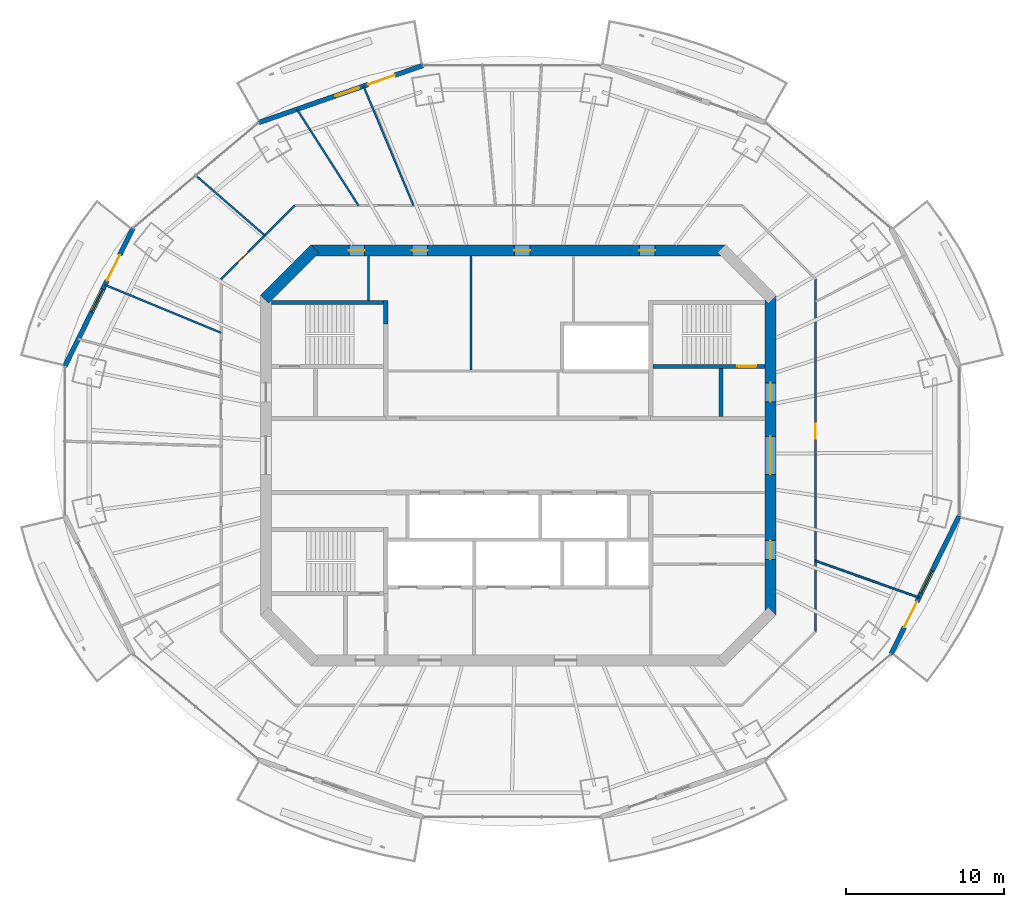
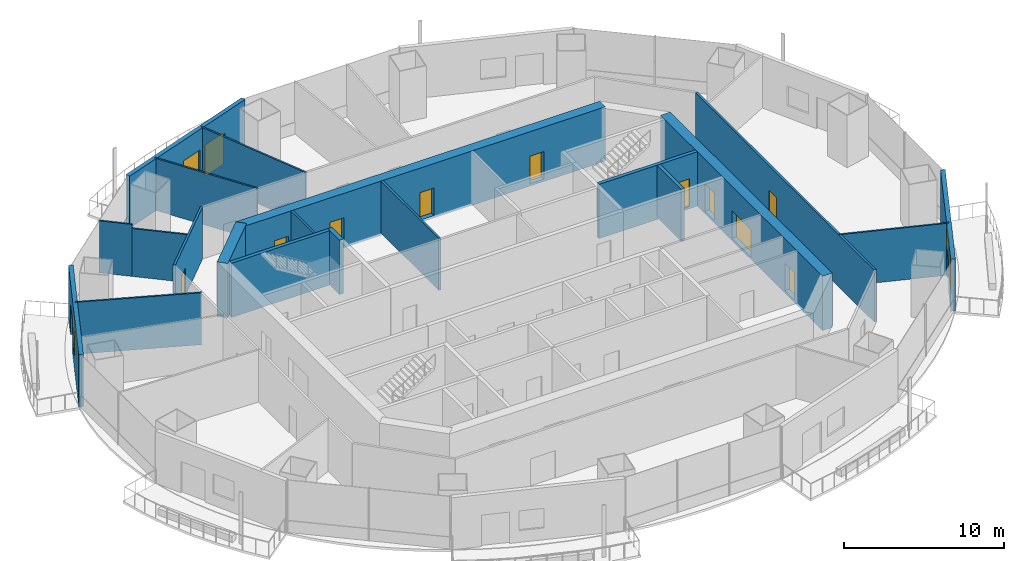
# One storey, part 10 of 16: 20 walls, 13 doors, 3 windows, 16 openings.
"""IFC4 building model written with IfcOpenShell, lengths in metres."""

from ifc_helpers import new_model, si_unit, direction, frame, frame_2d, origin, place, context, subcontext, project, spatial, rectangle, extrude, material, layer, layer_set, type_object, element, fill, save


model = new_model("IFC4")

# Units and contexts
model_context = context("Model", 3, precision=1e-05, world=origin(), true_north=direction((0.0, 1.0)))
body_context = subcontext(model_context, "Body", "Model", "MODEL_VIEW")
ifc_project = project(units=[si_unit("LENGTHUNIT", "METRE"), si_unit("AREAUNIT", "SQUARE_METRE"), si_unit("VOLUMEUNIT", "CUBIC_METRE"), si_unit("PLANEANGLEUNIT", "RADIAN"), si_unit("MASSUNIT", "GRAM", prefix="KILO")], contexts=[model_context])

# Site, building, storey
site_placement = place(None, origin())
site = spatial("IfcSite", under=ifc_project, at=site_placement, CompositionType="ELEMENT")
building_placement = place(site_placement, origin())
building = spatial("IfcBuilding", under=site, at=building_placement, Name="Marenthal Gate Tower", CompositionType="ELEMENT")
storey_placement = place(building_placement, frame((0.0, 0.0, 292.800048828125)))
storey = spatial("IfcBuildingStorey", under=building, at=storey_placement, Name="L65", CompositionType="ELEMENT", Elevation=292.800048828125)

# Wall, openings, doors
ifc_material_1 = material(Name="Concrete 60 MPa", Category="concrete")
ifc_layer_1 = layer(ifc_material_1, 0.699951171875)
ifc_layer_set_1 = layer_set([ifc_layer_1], Name="Core shear wall 700")
wall_type_1 = type_object("IfcWallType", Name="Core shear wall 700", PredefinedType="SHEAR", material=ifc_layer_set_1)
wall_1_placement = place(storey_placement, frame((16.0, -10.14501953125, -0.179931640625), z_axis=(0.0, 0.0, 1.0), x_axis=(0.0, 1.0, 0.0)))
wall_1 = element("IfcWall", 1, at=wall_1_placement, inside=storey, type_object=wall_type_1, Name="Core wall 02", PredefinedType="SHEAR", context=body_context, shape_type="SweptSolid", body=[
    extrude(rectangle(XDim=20.2900390625, YDim=0.699951171875, at=frame_2d((10.14501953125, 0.0))), origin(), (0.0, 0.0, 1.0), 4.14990234375),
])
opening_1_placement = place(wall_1_placement, frame((8.945068359375, 0.0, 0.179931640625)))
opening_1 = element("IfcOpeningElement", 2, at=opening_1_placement, cuts=wall_1, Name="Opening D003.02", PredefinedType="OPENING", context=body_context, shape_type="SweptSolid", body=[
    extrude(rectangle(XDim=2.39990234375, YDim=2.10009765625, at=frame_2d((1.199951171875, 1.050048828125))), frame((0.0, 0.35986328125, 0.0), z_axis=(0.0, -1.0, 0.0), x_axis=(1.0, 0.0, 0.0)), (0.0, 0.0, 1.0), 0.719970703125),
])
opening_2_placement = place(wall_1_placement, frame((13.544921875, 0.0, 0.179931640625)))
opening_2 = element("IfcOpeningElement", 3, at=opening_2_placement, cuts=wall_1, Name="Opening D001.05", PredefinedType="OPENING", context=body_context, shape_type="SweptSolid", body=[
    extrude(rectangle(XDim=1.199951171875, YDim=2.10009765625, at=frame_2d((0.60009765625, 1.050048828125))), frame((0.0, 0.35986328125, 0.0), z_axis=(0.0, -1.0, 0.0), x_axis=(1.0, 0.0, 0.0)), (0.0, 0.0, 1.0), 0.719970703125),
])
opening_3_placement = place(wall_1_placement, frame((3.544921875, 0.0, 0.179931640625)))
opening_3 = element("IfcOpeningElement", 4, at=opening_3_placement, cuts=wall_1, Name="Opening D006.01", PredefinedType="OPENING", context=body_context, shape_type="SweptSolid", body=[
    extrude(rectangle(XDim=1.199951171875, YDim=2.10009765625, at=frame_2d((0.60009765625, 1.050048828125))), frame((0.0, 0.35986328125, 0.0), z_axis=(0.0, -1.0, 0.0), x_axis=(1.0, 0.0, 0.0)), (0.0, 0.0, 1.0), 0.719970703125),
])
ifc_material_2 = material(Name="Steel fire door", Category="steel")
door_type_1 = type_object("IfcDoorType", Name="Double fire door FD 45 2400 x 2100", OperationType="DOUBLE_DOOR_SINGLE_SWING", PredefinedType="DOOR", material=ifc_material_2)
door_1_placement = place(opening_1_placement, origin())
door_1 = element("IfcDoor", 5, at=door_1_placement, inside=storey, type_object=door_type_1, Name="Door D003.02", OperationType="DOUBLE_DOOR_SINGLE_SWING", OverallHeight=2.10009765625, OverallWidth=2.39990234375, PredefinedType="DOOR", context=body_context, shape_type="SweptSolid", body=[
    extrude(rectangle(XDim=2.39990234375, YDim=2.10009765625, at=frame_2d((1.199951171875, 1.050048828125))), frame((0.0, 0.02490234375, 0.0), z_axis=(0.0, -1.0, 0.0), x_axis=(1.0, 0.0, 0.0)), (0.0, 0.0, 1.0), 0.050048828125),
])
fill(opening_1, door_1)
ifc_material_3 = material(Name="Steel fire door", Category="steel")
door_type_2 = type_object("IfcDoorType", Name="Fire door FD 45 1200 x 2100", OperationType="NOTDEFINED", PredefinedType="DOOR", material=ifc_material_3)
door_2_placement = place(opening_3_placement, origin())
door_2 = element("IfcDoor", 6, at=door_2_placement, inside=storey, type_object=door_type_2, Name="Door D006.01", OperationType="SINGLE_SWING_RIGHT", OverallHeight=2.10009765625, OverallWidth=1.199951171875, PredefinedType="DOOR", context=body_context, shape_type="SweptSolid", body=[
    extrude(rectangle(XDim=1.199951171875, YDim=2.10009765625, at=frame_2d((0.60009765625, 1.050048828125))), frame((0.0, 0.02490234375, 0.0), z_axis=(0.0, -1.0, 0.0), x_axis=(1.0, 0.0, 0.0)), (0.0, 0.0, 1.0), 0.050048828125),
])
fill(opening_3, door_2)
ifc_material_4 = material(Name="Steel fire door", Category="steel")
door_type_3 = type_object("IfcDoorType", Name="Fire door FD 90 1200 x 2100", OperationType="NOTDEFINED", PredefinedType="DOOR", material=ifc_material_4)
door_3_placement = place(opening_2_placement, origin())
door_3 = element("IfcDoor", 7, at=door_3_placement, inside=storey, type_object=door_type_3, Name="Door D001.05", OperationType="SINGLE_SWING_RIGHT", OverallHeight=2.10009765625, OverallWidth=1.199951171875, PredefinedType="DOOR", context=body_context, shape_type="SweptSolid", body=[
    extrude(rectangle(XDim=1.199951171875, YDim=2.10009765625, at=frame_2d((0.60009765625, 1.050048828125))), frame((0.0, 0.02490234375, 0.0), z_axis=(0.0, -1.0, 0.0), x_axis=(1.0, 0.0, 0.0)), (0.0, 0.0, 1.0), 0.050048828125),
])
fill(opening_2, door_3)

wall_2_placement = place(storey_placement, frame((13.14501953125, 13.0, -0.179931640625), z_axis=(0.0, 0.0, 1.0), x_axis=(-1.0, 0.0, 0.0)))
wall_2 = element("IfcWall", 8, at=wall_2_placement, inside=storey, type_object=wall_type_1, Name="Core wall 04", PredefinedType="SHEAR", context=body_context, shape_type="SweptSolid", body=[
    extrude(rectangle(XDim=26.2900390625, YDim=0.699951171875, at=frame_2d((13.14501953125, 0.0))), origin(), (0.0, 0.0, 1.0), 4.14990234375),
])
opening_4_placement = place(wall_2_placement, frame((22.889892578125, 0.0, 0.179931640625)))
opening_4 = element("IfcOpeningElement", 9, at=opening_4_placement, cuts=wall_2, Name="Opening D005.03", PredefinedType="OPENING", context=body_context, shape_type="SweptSolid", body=[
    extrude(rectangle(XDim=1.0, YDim=2.10009765625, at=frame_2d((0.5, 1.050048828125))), frame((0.0, 0.35986328125, 0.0), z_axis=(0.0, -1.0, 0.0), x_axis=(1.0, 0.0, 0.0)), (0.0, 0.0, 1.0), 0.719970703125),
])
opening_5_placement = place(wall_2_placement, frame((18.89501953125, 0.0, 0.179931640625)))
opening_5 = element("IfcOpeningElement", 10, at=opening_5_placement, cuts=wall_2, Name="Opening D005.04", PredefinedType="OPENING", context=body_context, shape_type="SweptSolid", body=[
    extrude(rectangle(XDim=1.0, YDim=2.10009765625, at=frame_2d((0.5, 1.050048828125))), frame((0.0, 0.35986328125, 0.0), z_axis=(0.0, -1.0, 0.0), x_axis=(1.0, 0.0, 0.0)), (0.0, 0.0, 1.0), 0.719970703125),
])
opening_6_placement = place(wall_2_placement, frame((12.39501953125, 0.0, 0.179931640625)))
opening_6 = element("IfcOpeningElement", 11, at=opening_6_placement, cuts=wall_2, Name="Opening D005.05", PredefinedType="OPENING", context=body_context, shape_type="SweptSolid", body=[
    extrude(rectangle(XDim=1.0, YDim=2.10009765625, at=frame_2d((0.5, 1.050048828125))), frame((0.0, 0.35986328125, 0.0), z_axis=(0.0, -1.0, 0.0), x_axis=(1.0, 0.0, 0.0)), (0.0, 0.0, 1.0), 0.719970703125),
])
opening_7_placement = place(wall_2_placement, frame((4.46728515625, 0.0, 0.179931640625)))
opening_7 = element("IfcOpeningElement", 12, at=opening_7_placement, cuts=wall_2, Name="Opening D005.06", PredefinedType="OPENING", context=body_context, shape_type="SweptSolid", body=[
    extrude(rectangle(XDim=1.0, YDim=2.10009765625, at=frame_2d((0.5, 1.050048828125))), frame((0.0, 0.35986328125, 0.0), z_axis=(0.0, -1.0, 0.0), x_axis=(1.0, 0.0, 0.0)), (0.0, 0.0, 1.0), 0.719970703125),
])
ifc_material_5 = material(Name="Steel fire door", Category="steel")
door_type_4 = type_object("IfcDoorType", Name="Fire door FD 45 1000 x 2100", OperationType="NOTDEFINED", PredefinedType="DOOR", material=ifc_material_5)
door_4_placement = place(opening_4_placement, origin())
door_4 = element("IfcDoor", 13, at=door_4_placement, inside=storey, type_object=door_type_4, Name="Door D005.03", OperationType="SINGLE_SWING_RIGHT", OverallHeight=2.10009765625, OverallWidth=1.0, PredefinedType="DOOR", context=body_context, shape_type="SweptSolid", body=[
    extrude(rectangle(XDim=1.0, YDim=2.10009765625, at=frame_2d((0.5, 1.050048828125))), frame((0.0, 0.02490234375, 0.0), z_axis=(0.0, -1.0, 0.0), x_axis=(1.0, 0.0, 0.0)), (0.0, 0.0, 1.0), 0.050048828125),
])
fill(opening_4, door_4)
door_5_placement = place(opening_5_placement, origin())
door_5 = element("IfcDoor", 14, at=door_5_placement, inside=storey, type_object=door_type_4, Name="Door D005.04", OperationType="SINGLE_SWING_RIGHT", OverallHeight=2.10009765625, OverallWidth=1.0, PredefinedType="DOOR", context=body_context, shape_type="SweptSolid", body=[
    extrude(rectangle(XDim=1.0, YDim=2.10009765625, at=frame_2d((0.5, 1.050048828125))), frame((0.0, 0.02490234375, 0.0), z_axis=(0.0, -1.0, 0.0), x_axis=(1.0, 0.0, 0.0)), (0.0, 0.0, 1.0), 0.050048828125),
])
fill(opening_5, door_5)
door_6_placement = place(opening_6_placement, origin())
door_6 = element("IfcDoor", 15, at=door_6_placement, inside=storey, type_object=door_type_4, Name="Door D005.05", OperationType="SINGLE_SWING_RIGHT", OverallHeight=2.10009765625, OverallWidth=1.0, PredefinedType="DOOR", context=body_context, shape_type="SweptSolid", body=[
    extrude(rectangle(XDim=1.0, YDim=2.10009765625, at=frame_2d((0.5, 1.050048828125))), frame((0.0, 0.02490234375, 0.0), z_axis=(0.0, -1.0, 0.0), x_axis=(1.0, 0.0, 0.0)), (0.0, 0.0, 1.0), 0.050048828125),
])
fill(opening_6, door_6)
door_7_placement = place(opening_7_placement, origin())
door_7 = element("IfcDoor", 16, at=door_7_placement, inside=storey, type_object=door_type_4, Name="Door D005.06", OperationType="SINGLE_SWING_RIGHT", OverallHeight=2.10009765625, OverallWidth=1.0, PredefinedType="DOOR", context=body_context, shape_type="SweptSolid", body=[
    extrude(rectangle(XDim=1.0, YDim=2.10009765625, at=frame_2d((0.5, 1.050048828125))), frame((0.0, 0.02490234375, 0.0), z_axis=(0.0, -1.0, 0.0), x_axis=(1.0, 0.0, 0.0)), (0.0, 0.0, 1.0), 0.050048828125),
])
fill(opening_7, door_7)

# Walls
wall_3_placement = place(storey_placement, frame((-12.8974609375, 13.1025390625, -0.179931640625), z_axis=(0.0, 0.0, 1.0), x_axis=(-0.707106781187, -0.707106781187, 0.0)))
element("IfcWall", 17, at=wall_3_placement, inside=storey, type_object=wall_type_1, Name="Core wall 05", PredefinedType="SHEAR", context=body_context, shape_type="SweptSolid", body=[
    extrude(rectangle(XDim=4.53271484375, YDim=0.699951171875, at=frame_2d((2.266357421875, 0.0))), origin(), (0.0, 0.0, 1.0), 4.14990234375),
])
ifc_material_6 = material(Name="Gypsum board on steel studs", Category="steel")
ifc_layer_2 = layer(ifc_material_6, 0.1201171875)
ifc_layer_set_2 = layer_set([ifc_layer_2], Name="Partition 120")
wall_type_2 = type_object("IfcWallType", Name="Partition 120", PredefinedType="PARTITIONING", material=ifc_layer_set_2)
wall_4_placement = place(storey_placement, frame((-18.85009765625, 7.776611328125, 0.0), z_axis=(0.0, 0.0, 1.0), x_axis=(-0.924418879756, 0.381378728759, 0.0)))
element("IfcWall", 18, at=wall_4_placement, inside=storey, type_object=wall_type_2, Name="Partition wall 56", PredefinedType="PARTITIONING", context=body_context, shape_type="SweptSolid", body=[
    extrude(rectangle(XDim=7.96484375, YDim=0.1201171875, at=frame_2d((3.982421875, 0.0))), origin(), (0.0, 0.0, 1.0), 3.969970703125),
])
wall_5_placement = place(storey_placement, frame((-16.076416015625, 13.9541015625, 0.0), z_axis=(0.0, 0.0, 1.0), x_axis=(-0.755209519665, 0.655483471499, 0.0)))
element("IfcWall", 19, at=wall_5_placement, inside=storey, type_object=wall_type_2, Name="Partition wall 58", PredefinedType="PARTITIONING", context=body_context, shape_type="SweptSolid", body=[
    extrude(rectangle(XDim=3.7138671875, YDim=0.1201171875, at=frame_2d((1.85693359375, 0.0))), origin(), (0.0, 0.0, 1.0), 3.659912109375),
])
wall_6_placement = place(storey_placement, frame((-18.881103515625, 16.388427734375, 0.0), z_axis=(0.0, 0.0, 1.0), x_axis=(-0.755190282999, 0.655505634196, 0.0)))
element("IfcWall", 20, at=wall_6_placement, inside=storey, type_object=wall_type_2, Name="Partition wall 72", PredefinedType="PARTITIONING", context=body_context, shape_type="SweptSolid", body=[
    extrude(rectangle(XDim=2.084228515625, YDim=0.1201171875, at=frame_2d((1.0419921875, 0.0))), origin(), (0.0, 0.0, 1.0), 3.969970703125),
])
wall_7_placement = place(storey_placement, frame((-10.13720703125, 15.85009765625, 0.0), z_axis=(0.0, 0.0, 1.0), x_axis=(-0.538802115327, 0.84243235961, 0.0)))
element("IfcWall", 21, at=wall_7_placement, inside=storey, type_object=wall_type_2, Name="Partition wall 61", PredefinedType="PARTITIONING", context=body_context, shape_type="SweptSolid", body=[
    extrude(rectangle(XDim=7.2431640625, YDim=0.1201171875, at=frame_2d((3.62158203125, 0.0))), origin(), (0.0, 0.0, 1.0), 3.969970703125),
])
wall_8_placement = place(storey_placement, frame((-6.64501953125, 15.85009765625, 0.0), z_axis=(0.0, 0.0, 1.0), x_axis=(-0.386671197164, 0.92221764529, 0.0)))
element("IfcWall", 22, at=wall_8_placement, inside=storey, type_object=wall_type_2, Name="Partition wall 62", PredefinedType="PARTITIONING", context=body_context, shape_type="SweptSolid", body=[
    extrude(rectangle(XDim=8.209228515625, YDim=0.1201171875, at=frame_2d((4.1044921875, 0.0))), origin(), (0.0, 0.0, 1.0), 3.969970703125),
])
wall_9_placement = place(storey_placement, frame((18.85009765625, -6.686279296875, 0.0), z_axis=(0.0, 0.0, 1.0), x_axis=(0.942465522023, -0.334303364923, 0.0)))
element("IfcWall", 23, at=wall_9_placement, inside=storey, type_object=wall_type_2, Name="Partition wall 69", PredefinedType="PARTITIONING", context=body_context, shape_type="SweptSolid", body=[
    extrude(rectangle(XDim=6.96337890625, YDim=0.1201171875, at=frame_2d((3.481689453125, 0.0))), origin(), (0.0, 0.0, 1.0), 3.969970703125),
])
ifc_material_7 = material(Name="Gypsum board on steel studs", Category="steel")
ifc_layer_3 = layer(ifc_material_7, 0.14990234375)
ifc_layer_set_3 = layer_set([ifc_layer_3], Name="Partition 150")
wall_type_3 = type_object("IfcWallType", Name="Partition 150", PredefinedType="PARTITIONING", material=ifc_layer_set_3)
wall_10_placement = place(storey_placement, frame((-9.5, 9.824951171875, 0.0), z_axis=(0.0, 0.0, 1.0), x_axis=(0.0, 1.0, 0.0)))
element("IfcWall", 24, at=wall_10_placement, inside=storey, type_object=wall_type_3, Name="Partition wall 31", PredefinedType="PARTITIONING", context=body_context, shape_type="SweptSolid", body=[
    extrude(rectangle(XDim=2.824951171875, YDim=0.14990234375, at=frame_2d((1.41259765625, 0.0))), origin(), (0.0, 0.0, 1.0), 3.969970703125),
])
wall_11_placement = place(storey_placement, frame((-3.0, 5.425048828125, 0.0), z_axis=(0.0, 0.0, 1.0), x_axis=(0.0, 1.0, 0.0)))
element("IfcWall", 25, at=wall_11_placement, inside=storey, type_object=wall_type_3, Name="Partition wall 37", PredefinedType="PARTITIONING", context=body_context, shape_type="SweptSolid", body=[
    extrude(rectangle(XDim=7.224853515625, YDim=0.14990234375, at=frame_2d((3.6123046875, 0.0))), origin(), (0.0, 0.0, 1.0), 3.969970703125),
])

# Wall, opening, door
wall_12_placement = place(storey_placement, frame((-18.85009765625, 11.180419921875, 0.0), z_axis=(0.0, 0.0, 1.0), x_axis=(0.707106781187, 0.707106781187, 0.0)))
wall_12 = element("IfcWall", 26, at=wall_12_placement, inside=storey, type_object=wall_type_3, Name="Partition wall 57", PredefinedType="PARTITIONING", context=body_context, shape_type="SweptSolid", body=[
    extrude(rectangle(XDim=6.60400390625, YDim=0.14990234375, at=frame_2d((3.302001953125, 0.0))), origin(), (0.0, 0.0, 1.0), 3.969970703125),
])
opening_8_placement = place(wall_12_placement, frame((1.486083984375, 0.0, 0.0)))
opening_8 = element("IfcOpeningElement", 27, at=opening_8_placement, cuts=wall_12, Name="Opening D016.06", PredefinedType="OPENING", context=body_context, shape_type="SweptSolid", body=[
    extrude(rectangle(XDim=0.949951171875, YDim=2.10009765625, at=frame_2d((0.47509765625, 1.050048828125))), frame((0.0, 0.0849609375, 0.0), z_axis=(0.0, -1.0, 0.0), x_axis=(1.0, 0.0, 0.0)), (0.0, 0.0, 1.0), 0.169921875),
])
ifc_material_8 = material(Name="Timber door", Category="wood")
door_type_5 = type_object("IfcDoorType", Name="Door 950 x 2100", OperationType="NOTDEFINED", PredefinedType="DOOR", material=ifc_material_8)
door_8_placement = place(opening_8_placement, origin())
door_8 = element("IfcDoor", 28, at=door_8_placement, inside=storey, type_object=door_type_5, Name="Door D016.06", OperationType="SINGLE_SWING_RIGHT", OverallHeight=2.10009765625, OverallWidth=0.949951171875, PredefinedType="DOOR", context=body_context, shape_type="SweptSolid", body=[
    extrude(rectangle(XDim=0.949951171875, YDim=2.10009765625, at=frame_2d((0.47509765625, 1.050048828125))), frame((0.0, 0.02490234375, 0.0), z_axis=(0.0, -1.0, 0.0), x_axis=(1.0, 0.0, 0.0)), (0.0, 0.0, 1.0), 0.050048828125),
])
fill(opening_8, door_8)

wall_13_placement = place(storey_placement, frame((18.85009765625, 11.180419921875, 0.0), z_axis=(0.0, 0.0, 1.0), x_axis=(0.0, -1.0, 0.0)))
wall_13 = element("IfcWall", 29, at=wall_13_placement, inside=storey, type_object=wall_type_3, Name="Partition wall 71", PredefinedType="PARTITIONING", context=body_context, shape_type="SweptSolid", body=[
    extrude(rectangle(XDim=22.36083984375, YDim=0.14990234375, at=frame_2d((11.180419921875, 0.0))), origin(), (0.0, 0.0, 1.0), 3.969970703125),
])
opening_9_placement = place(wall_13_placement, frame((9.175048828125, 0.0, 0.0)))
opening_9 = element("IfcOpeningElement", 30, at=opening_9_placement, cuts=wall_13, Name="Opening D016.10", PredefinedType="OPENING", context=body_context, shape_type="SweptSolid", body=[
    extrude(rectangle(XDim=0.949951171875, YDim=2.10009765625, at=frame_2d((0.47509765625, 1.050048828125))), frame((0.0, 0.0849609375, 0.0), z_axis=(0.0, -1.0, 0.0), x_axis=(1.0, 0.0, 0.0)), (0.0, 0.0, 1.0), 0.169921875),
])
door_9_placement = place(opening_9_placement, origin())
door_9 = element("IfcDoor", 31, at=door_9_placement, inside=storey, type_object=door_type_5, Name="Door D016.10", OperationType="SINGLE_SWING_RIGHT", OverallHeight=2.10009765625, OverallWidth=0.949951171875, PredefinedType="DOOR", context=body_context, shape_type="SweptSolid", body=[
    extrude(rectangle(XDim=0.949951171875, YDim=2.10009765625, at=frame_2d((0.47509765625, 1.050048828125))), frame((0.0, 0.02490234375, 0.0), z_axis=(0.0, -1.0, 0.0), x_axis=(1.0, 0.0, 0.0)), (0.0, 0.0, 1.0), 0.050048828125),
])
fill(opening_9, door_9)

# Wall
ifc_material_9 = material(Name="Concrete 40 MPa", Category="concrete")
ifc_layer_4 = layer(ifc_material_9, 0.25)
ifc_layer_set_4 = layer_set([ifc_layer_4], Name="Stair enclosure wall 250")
wall_type_4 = type_object("IfcWallType", Name="Stair enclosure wall 250", PredefinedType="STANDARD", material=ifc_layer_set_4)
wall_14_placement = place(storey_placement, frame((12.85009765625, 2.47509765625, 0.0), z_axis=(0.0, 0.0, 1.0), x_axis=(0.0, 1.0, 0.0)))
element("IfcWall", 32, at=wall_14_placement, inside=storey, type_object=wall_type_4, Name="Stair wall 51", PredefinedType="STANDARD", context=body_context, shape_type="SweptSolid", body=[
    extrude(rectangle(XDim=3.0498046875, YDim=0.25, at=frame_2d((1.52490234375, 0.0))), origin(), (0.0, 0.0, 1.0), 3.969970703125),
])

# Wall, opening, door
ifc_material_10 = material(Name="Concrete 50 MPa", Category="concrete")
ifc_layer_5 = layer(ifc_material_10, 0.25)
ifc_layer_set_5 = layer_set([ifc_layer_5], Name="Stair shear wall 250")
wall_type_5 = type_object("IfcWallType", Name="Stair shear wall 250", PredefinedType="SHEAR", material=ifc_layer_set_5)
wall_15_placement = place(storey_placement, frame((8.550048828125, 5.64990234375, -0.179931640625), z_axis=(0.0, 0.0, 1.0), x_axis=(1.0, 0.0, 0.0)))
wall_15 = element("IfcWall", 33, at=wall_15_placement, inside=storey, type_object=wall_type_5, Name="Stair wall 25", PredefinedType="SHEAR", context=body_context, shape_type="SweptSolid", body=[
    extrude(rectangle(XDim=7.099853515625, YDim=0.25, at=frame_2d((3.5498046875, 0.0))), origin(), (0.0, 0.0, 1.0), 4.14990234375),
])
opening_10_placement = place(wall_15_placement, frame((5.35009765625, 0.0, 0.179931640625)))
opening_10 = element("IfcOpeningElement", 34, at=opening_10_placement, cuts=wall_15, Name="Opening D001.02", PredefinedType="OPENING", context=body_context, shape_type="SweptSolid", body=[
    extrude(rectangle(XDim=1.199951171875, YDim=2.10009765625, at=frame_2d((0.60009765625, 1.050048828125))), frame((0.0, 0.135009765625, 0.0), z_axis=(0.0, -1.0, 0.0), x_axis=(1.0, 0.0, 0.0)), (0.0, 0.0, 1.0), 0.27001953125),
])
door_10_placement = place(opening_10_placement, origin())
door_10 = element("IfcDoor", 35, at=door_10_placement, inside=storey, type_object=door_type_3, Name="Door D001.02", OperationType="SINGLE_SWING_RIGHT", OverallHeight=2.10009765625, OverallWidth=1.199951171875, PredefinedType="DOOR", context=body_context, shape_type="SweptSolid", body=[
    extrude(rectangle(XDim=1.199951171875, YDim=2.10009765625, at=frame_2d((0.60009765625, 1.050048828125))), frame((0.0, 0.02490234375, 0.0), z_axis=(0.0, -1.0, 0.0), x_axis=(1.0, 0.0, 0.0)), (0.0, 0.0, 1.0), 0.050048828125),
])
fill(opening_10, door_10)

# Walls
wall_16_placement = place(storey_placement, frame((-15.64990234375, 9.699951171875, -0.179931640625), z_axis=(0.0, 0.0, 1.0), x_axis=(1.0, 0.0, 0.0)))
element("IfcWall", 36, at=wall_16_placement, inside=storey, type_object=wall_type_5, Name="Stair wall 27", PredefinedType="SHEAR", context=body_context, shape_type="SweptSolid", body=[
    extrude(rectangle(XDim=7.099853515625, YDim=0.25, at=frame_2d((3.5498046875, 0.0))), origin(), (0.0, 0.0, 1.0), 4.14990234375),
])
ifc_material_11 = material(Name="Concrete 50 MPa", Category="concrete")
ifc_layer_6 = layer(ifc_material_11, 0.300048828125)
ifc_layer_set_6 = layer_set([ifc_layer_6], Name="Stair shear wall 300")
wall_type_6 = type_object("IfcWallType", Name="Stair shear wall 300", PredefinedType="SHEAR", material=ifc_layer_set_6)
wall_17_placement = place(storey_placement, frame((-8.39990234375, 8.35009765625, -0.179931640625), z_axis=(0.0, 0.0, 1.0), x_axis=(0.0, 1.0, 0.0)))
element("IfcWall", 37, at=wall_17_placement, inside=storey, type_object=wall_type_6, Name="Stair wall 35", PredefinedType="SHEAR", context=body_context, shape_type="SweptSolid", body=[
    extrude(rectangle(XDim=1.474853515625, YDim=0.300048828125, at=frame_2d((0.7373046875, 0.0))), origin(), (0.0, 0.0, 1.0), 4.14990234375),
])

# Wall, openings, door, window
ifc_material_12 = material(Name="Terracotta cladding on insulated concrete-block backing", Category="masonry")
ifc_layer_7 = layer(ifc_material_12, 0.300048828125)
ifc_layer_set_7 = layer_set([ifc_layer_7], Name="Terracotta facade wall 300")
wall_type_7 = type_object("IfcWallType", Name="Terracotta facade wall 300", PredefinedType="SOLIDWALL", material=ifc_layer_set_7)
wall_18_placement = place(storey_placement, frame((-6.04150390625, 24.736083984375, 0.0), z_axis=(0.0, 0.0, 1.0), x_axis=(-0.944413217851, -0.328760815713, 0.0)))
wall_18 = element("IfcWall", 38, at=wall_18_placement, inside=storey, type_object=wall_type_7, Name="Terracotta facade wall L65 bay 5", PredefinedType="SOLIDWALL", context=body_context, shape_type="SweptSolid", body=[
    extrude(rectangle(XDim=11.0380859375, YDim=0.300048828125, at=frame_2d((5.51904296875, 0.0))), origin(), (0.0, 0.0, 1.0), 3.969970703125),
])
opening_11_placement = place(wall_18_placement, frame((1.89990234375, 0.0, 0.0)))
opening_11 = element("IfcOpeningElement", 39, at=opening_11_placement, cuts=wall_18, Name="Opening BD-L65-05", PredefinedType="OPENING", context=body_context, shape_type="SweptSolid", body=[
    extrude(rectangle(XDim=1.800048828125, YDim=2.39990234375, at=frame_2d((0.89990234375, 1.199951171875))), frame((0.0, 0.16015625, 0.0), z_axis=(0.0, -1.0, 0.0), x_axis=(1.0, 0.0, 0.0)), (0.0, 0.0, 1.0), 0.320068359375),
])
opening_12_placement = place(wall_18_placement, frame((4.300048828125, 0.0, 0.89990234375)))
opening_12 = element("IfcOpeningElement", 40, at=opening_12_placement, cuts=wall_18, Name="Opening WN3-L65-05", PredefinedType="OPENING", context=body_context, shape_type="SweptSolid", body=[
    extrude(rectangle(XDim=1.60009765625, YDim=1.5, at=frame_2d((0.800048828125, 0.75))), frame((0.0, 0.16015625, 0.0), z_axis=(0.0, -1.0, 0.0), x_axis=(1.0, 0.0, 0.0)), (0.0, 0.0, 1.0), 0.320068359375),
])
ifc_material_13 = material(Name="Aluminium and glass", Category="aluminium")
door_type_6 = type_object("IfcDoorType", Name="Balcony door 1800x2400", OperationType="DOUBLE_DOOR_SINGLE_SWING", PredefinedType="DOOR", material=ifc_material_13)
door_11_placement = place(opening_11_placement, origin())
door_11 = element("IfcDoor", 41, at=door_11_placement, inside=storey, type_object=door_type_6, Name="Balcony door L65 bay 5", OperationType="SINGLE_SWING_LEFT", OverallHeight=2.39990234375, OverallWidth=1.800048828125, PredefinedType="DOOR", context=body_context, shape_type="SweptSolid", body=[
    extrude(rectangle(XDim=1.800048828125, YDim=2.39990234375, at=frame_2d((0.89990234375, 1.199951171875))), frame((0.0, 0.02490234375, 0.0), z_axis=(0.0, -1.0, 0.0), x_axis=(1.0, 0.0, 0.0)), (0.0, 0.0, 1.0), 0.050048828125),
])
fill(opening_11, door_11)
ifc_material_14 = material(Name="Aluminium and glass", Category="aluminium")
window_type = type_object("IfcWindowType", Name="Window 1600x1500", PartitioningType="DOUBLE_PANEL_VERTICAL", PredefinedType="WINDOW", material=ifc_material_14)
window_1_placement = place(opening_12_placement, origin())
window_1 = element("IfcWindow", 42, at=window_1_placement, inside=storey, type_object=window_type, Name="Window L65 bay 5", OverallHeight=1.5, OverallWidth=1.60009765625, PartitioningType="SINGLE_PANEL", PredefinedType="WINDOW", context=body_context, shape_type="SweptSolid", body=[
    extrude(rectangle(XDim=1.60009765625, YDim=1.5, at=frame_2d((0.800048828125, 0.75))), frame((0.0, 0.030029296875, 0.0), z_axis=(0.0, -1.0, 0.0), x_axis=(1.0, 0.0, 0.0)), (0.0, 0.0, 1.0), 0.06005859375),
])
fill(opening_12, window_1)

wall_19_placement = place(storey_placement, frame((-24.4443359375, 14.402099609375, 0.0), z_axis=(0.0, 0.0, 1.0), x_axis=(-0.442086999908, -0.896972175997, 0.0)))
wall_19 = element("IfcWall", 43, at=wall_19_placement, inside=storey, type_object=wall_type_7, Name="Terracotta facade wall L65 bay 7", PredefinedType="SOLIDWALL", context=body_context, shape_type="SweptSolid", body=[
    extrude(rectangle(XDim=9.76708984375, YDim=0.300048828125, at=frame_2d((4.883544921875, 0.0))), origin(), (0.0, 0.0, 1.0), 3.969970703125),
])
opening_13_placement = place(wall_19_placement, frame((1.89990234375, 0.0, 0.0)))
opening_13 = element("IfcOpeningElement", 44, at=opening_13_placement, cuts=wall_19, Name="Opening BD-L65-07", PredefinedType="OPENING", context=body_context, shape_type="SweptSolid", body=[
    extrude(rectangle(XDim=1.800048828125, YDim=2.39990234375, at=frame_2d((0.89990234375, 1.199951171875))), frame((0.0, 0.16015625, 0.0), z_axis=(0.0, -1.0, 0.0), x_axis=(1.0, 0.0, 0.0)), (0.0, 0.0, 1.0), 0.320068359375),
])
opening_14_placement = place(wall_19_placement, frame((4.300048828125, 0.0, 0.89990234375)))
opening_14 = element("IfcOpeningElement", 45, at=opening_14_placement, cuts=wall_19, Name="Opening WN3-L65-07", PredefinedType="OPENING", context=body_context, shape_type="SweptSolid", body=[
    extrude(rectangle(XDim=1.60009765625, YDim=1.5, at=frame_2d((0.800048828125, 0.75))), frame((0.0, 0.16015625, 0.0), z_axis=(0.0, -1.0, 0.0), x_axis=(1.0, 0.0, 0.0)), (0.0, 0.0, 1.0), 0.320068359375),
])
door_12_placement = place(opening_13_placement, origin())
door_12 = element("IfcDoor", 46, at=door_12_placement, inside=storey, type_object=door_type_6, Name="Balcony door L65 bay 7", OperationType="SINGLE_SWING_LEFT", OverallHeight=2.39990234375, OverallWidth=1.800048828125, PredefinedType="DOOR", context=body_context, shape_type="SweptSolid", body=[
    extrude(rectangle(XDim=1.800048828125, YDim=2.39990234375, at=frame_2d((0.89990234375, 1.199951171875))), frame((0.0, 0.02490234375, 0.0), z_axis=(0.0, -1.0, 0.0), x_axis=(1.0, 0.0, 0.0)), (0.0, 0.0, 1.0), 0.050048828125),
])
fill(opening_13, door_12)
window_2_placement = place(opening_14_placement, origin())
window_2 = element("IfcWindow", 47, at=window_2_placement, inside=storey, type_object=window_type, Name="Window L65 bay 7", OverallHeight=1.5, OverallWidth=1.60009765625, PartitioningType="SINGLE_PANEL", PredefinedType="WINDOW", context=body_context, shape_type="SweptSolid", body=[
    extrude(rectangle(XDim=1.60009765625, YDim=1.5, at=frame_2d((0.800048828125, 0.75))), frame((0.0, 0.030029296875, 0.0), z_axis=(0.0, -1.0, 0.0), x_axis=(1.0, 0.0, 0.0)), (0.0, 0.0, 1.0), 0.06005859375),
])
fill(opening_14, window_2)

wall_20_placement = place(storey_placement, frame((23.644287109375, -12.60205078125, 0.0), z_axis=(0.0, 0.0, 1.0), x_axis=(0.442107110685, 0.8969622638, 0.0)))
wall_20 = element("IfcWall", 48, at=wall_20_placement, inside=storey, type_object=wall_type_7, Name="Terracotta facade wall L65 bay 15", PredefinedType="SOLIDWALL", context=body_context, shape_type="SweptSolid", body=[
    extrude(rectangle(XDim=9.76708984375, YDim=0.300048828125, at=frame_2d((4.883544921875, 0.0))), origin(), (0.0, 0.0, 1.0), 3.969970703125),
])
opening_15_placement = place(wall_20_placement, frame((1.89990234375, 0.0, 0.0)))
opening_15 = element("IfcOpeningElement", 49, at=opening_15_placement, cuts=wall_20, Name="Opening BD-L65-15", PredefinedType="OPENING", context=body_context, shape_type="SweptSolid", body=[
    extrude(rectangle(XDim=1.800048828125, YDim=2.39990234375, at=frame_2d((0.89990234375, 1.199951171875))), frame((0.0, 0.16015625, 0.0), z_axis=(0.0, -1.0, 0.0), x_axis=(1.0, 0.0, 0.0)), (0.0, 0.0, 1.0), 0.320068359375),
])
opening_16_placement = place(wall_20_placement, frame((4.300048828125, 0.0, 0.89990234375)))
opening_16 = element("IfcOpeningElement", 50, at=opening_16_placement, cuts=wall_20, Name="Opening WN3-L65-15", PredefinedType="OPENING", context=body_context, shape_type="SweptSolid", body=[
    extrude(rectangle(XDim=1.60009765625, YDim=1.5, at=frame_2d((0.800048828125, 0.75))), frame((0.0, 0.16015625, 0.0), z_axis=(0.0, -1.0, 0.0), x_axis=(1.0, 0.0, 0.0)), (0.0, 0.0, 1.0), 0.320068359375),
])
door_13_placement = place(opening_15_placement, origin())
door_13 = element("IfcDoor", 51, at=door_13_placement, inside=storey, type_object=door_type_6, Name="Balcony door L65 bay 15", OperationType="SINGLE_SWING_LEFT", OverallHeight=2.39990234375, OverallWidth=1.800048828125, PredefinedType="DOOR", context=body_context, shape_type="SweptSolid", body=[
    extrude(rectangle(XDim=1.800048828125, YDim=2.39990234375, at=frame_2d((0.89990234375, 1.199951171875))), frame((0.0, 0.02490234375, 0.0), z_axis=(0.0, -1.0, 0.0), x_axis=(1.0, 0.0, 0.0)), (0.0, 0.0, 1.0), 0.050048828125),
])
fill(opening_15, door_13)
window_3_placement = place(opening_16_placement, origin())
window_3 = element("IfcWindow", 52, at=window_3_placement, inside=storey, type_object=window_type, Name="Window L65 bay 15", OverallHeight=1.5, OverallWidth=1.60009765625, PartitioningType="SINGLE_PANEL", PredefinedType="WINDOW", context=body_context, shape_type="SweptSolid", body=[
    extrude(rectangle(XDim=1.60009765625, YDim=1.5, at=frame_2d((0.800048828125, 0.75))), frame((0.0, 0.030029296875, 0.0), z_axis=(0.0, -1.0, 0.0), x_axis=(1.0, 0.0, 0.0)), (0.0, 0.0, 1.0), 0.06005859375),
])
fill(opening_16, window_3)

save(model, "model.ifc")
